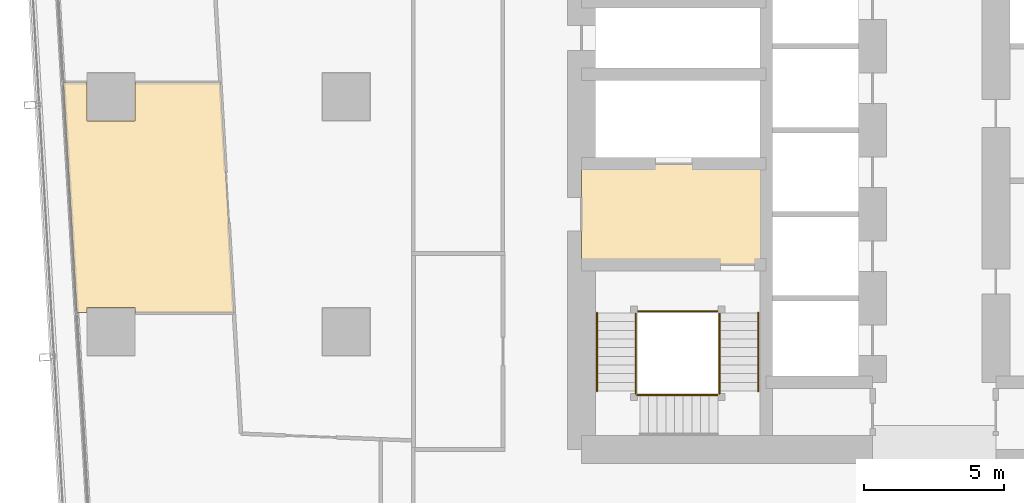
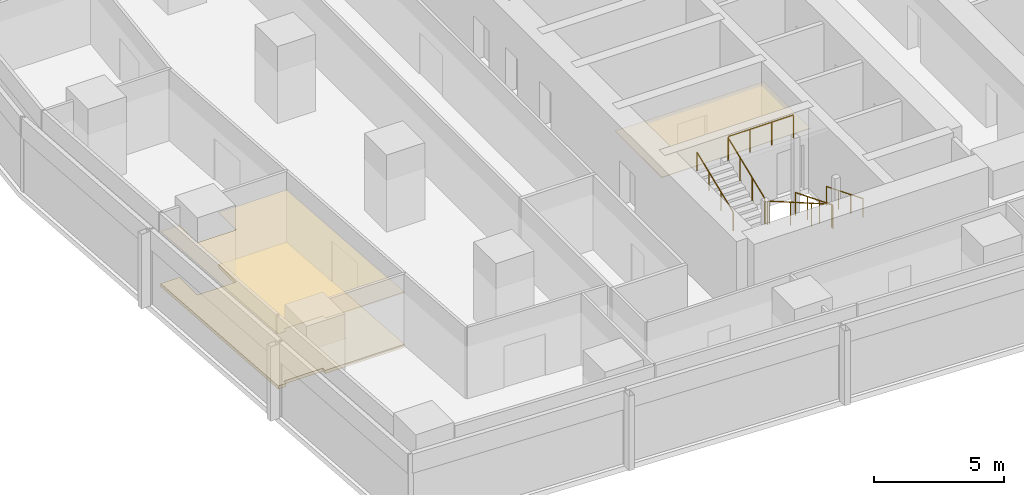
# One storey, part 29 of 34: 9 railings, 3 coverings.
"""IFC4 building model written with IfcOpenShell, lengths in metres."""

from ifc_helpers import new_model, si_unit, direction, frame, origin, origin_2d, place, context, subcontext, project, spatial, polyline, circle, outline, extrude, material, layer, layer_set, type_object, element, save


model = new_model("IFC4")

# Units and contexts
model_context = context("Model", 3, precision=1e-05, world=origin(), true_north=direction((0.0, 1.0)))
body_context = subcontext(model_context, "Body", "Model", "MODEL_VIEW")
ifc_project = project(units=[si_unit("LENGTHUNIT", "METRE"), si_unit("AREAUNIT", "SQUARE_METRE"), si_unit("VOLUMEUNIT", "CUBIC_METRE"), si_unit("PLANEANGLEUNIT", "RADIAN"), si_unit("MASSUNIT", "GRAM", prefix="KILO")], contexts=[model_context])

# Site, building, storey
site_placement = place(None, origin())
site = spatial("IfcSite", under=ifc_project, at=site_placement, CompositionType="ELEMENT")
building_placement = place(site_placement, origin())
building = spatial("IfcBuilding", under=site, at=building_placement, Name="Rekha Terrace Tower", CompositionType="ELEMENT")
storey_placement = place(building_placement, frame((0.0, 0.0, 176.449951171875)))
storey = spatial("IfcBuildingStorey", under=building, at=storey_placement, Name="L44", CompositionType="ELEMENT", Elevation=176.449951171875)

# Coverings
ifc_material_1 = material(Name="Mineral fibre tile in exposed grid", Category="finish")
ifc_layer_1 = layer(ifc_material_1, 0.02001953125)
ifc_layer_set_1 = layer_set([ifc_layer_1], Name="Mineral fibre tile in exposed grid")
covering_type_1 = type_object("IfcCoveringType", Name="CL1 600x1200 office grid ceiling", PredefinedType="CEILING", material=ifc_layer_set_1)
covering_1_placement = place(storey_placement, frame((0.0, 0.0, 2.580078125)))
element("IfcCovering", 1, at=covering_1_placement, inside=storey, type_object=covering_type_1, Name="Ceiling L44-15", PredefinedType="CEILING", context=body_context, shape_type="SweptSolid", body=[
    extrude(outline(polyline([(9.264892578125, 25.888916015625), (12.7900390625, 25.888916015625), (12.305908203125, 34.10107421875), (9.264892578125, 34.10107421875), (9.264892578125, 32.735107421875), (7.534912109375, 32.735107421875), (7.534912109375, 34.10107421875), (6.697021484375, 34.10107421875), (7.179931640625, 25.888916015625), (7.534912109375, 25.888916015625), (7.534912109375, 26.06494140625), (9.264892578125, 26.06494140625), (9.264892578125, 25.888916015625)])), origin(), (0.0, 0.0, 1.0), 0.02001953125),
])
ifc_material_2 = material(Name="Powder-coated aluminium pan", Category="aluminium")
ifc_layer_2 = layer(ifc_material_2, 0.030029296875)
ifc_layer_set_2 = layer_set([ifc_layer_2], Name="Powder-coated aluminium pan")
covering_type_2 = type_object("IfcCoveringType", Name="CL3 300x1200 metal pan ceiling", PredefinedType="CEILING", material=ifc_layer_set_2)
covering_2_placement = place(storey_placement, frame((0.0, 0.0, 2.570068359375)))
element("IfcCovering", 2, at=covering_2_placement, inside=storey, type_object=covering_type_2, Name="Ceiling L44-FLB1", PredefinedType="CEILING", context=body_context, shape_type="SweptSolid", body=[
    extrude(outline(polyline([(31.800048828125, 31.199951171875), (25.199951171875, 31.199951171875), (25.199951171875, 27.60009765625), (31.800048828125, 27.60009765625), (31.800048828125, 31.199951171875)])), origin(), (0.0, 0.0, 1.0), 0.030029296875),
])

# Railings
ifc_material_3 = material(Name="Stainless steel balustrade", Category="steel")
railing_type_1 = type_object("IfcRailingType", Name="GR1 1100 stair guard", PredefinedType="GUARDRAIL", material=ifc_material_3)
railing_1_placement = place(storey_placement, frame((30.135009765625, 25.875, 0.125)))
element("IfcRailing", 3, at=railing_1_placement, inside=storey, type_object=railing_type_1, Name="Guard ST1 L44 flight 1", PredefinedType="GUARDRAIL", context=body_context, shape_type="SweptSolid", body=[
    extrude(circle(Radius=0.02392578125, at=origin_2d()), frame((0.0, 0.0, 1.076171875), z_axis=(0.0, -0.927443287984, 0.373963831907), x_axis=(1.0, 0.0, 0.0)), (0.0, 0.0, 1.0), 3.00830078125),
    extrude(circle(Radius=0.02099609375, at=origin_2d()), origin(), (0.0, 0.0, 1.0), 1.052001953125),
    extrude(circle(Radius=0.02099609375, at=origin_2d()), frame((0.0, -0.929931640625, 0.375)), (0.0, 0.0, 1.0), 1.052001953125),
    extrude(circle(Radius=0.02099609375, at=origin_2d()), frame((0.0, -1.860107421875, 0.75)), (0.0, 0.0, 1.0), 1.052001953125),
    extrude(circle(Radius=0.02099609375, at=origin_2d()), frame((0.0, -2.7900390625, 1.125)), (0.0, 0.0, 1.0), 1.052001953125),
])
railing_2_placement = place(storey_placement, frame((30.074951171875, 22.93994140625, 1.375)))
element("IfcRailing", 4, at=railing_2_placement, inside=storey, type_object=railing_type_1, Name="Guard ST1 L44 flight 2", PredefinedType="GUARDRAIL", context=body_context, shape_type="SweptSolid", body=[
    extrude(circle(Radius=0.02392578125, at=origin_2d()), frame((0.0, 0.0, 1.076171875), z_axis=(-0.927443287984, 0.0, 0.373963831907), x_axis=(0.0, -1.0, 0.0)), (0.0, 0.0, 1.0), 3.00830078125),
    extrude(circle(Radius=0.02099609375, at=origin_2d()), origin(), (0.0, 0.0, 1.0), 1.052001953125),
    extrude(circle(Radius=0.02099609375, at=origin_2d()), frame((-0.929931640625, 0.0, 0.375)), (0.0, 0.0, 1.0), 1.052001953125),
    extrude(circle(Radius=0.02099609375, at=origin_2d()), frame((-1.860107421875, 0.0, 0.75)), (0.0, 0.0, 1.0), 1.052001953125),
    extrude(circle(Radius=0.02099609375, at=origin_2d()), frame((-2.7900390625, 0.0, 1.125)), (0.0, 0.0, 1.0), 1.052001953125),
])
railing_3_placement = place(storey_placement, frame((27.139892578125, 23.0849609375, 2.625)))
element("IfcRailing", 5, at=railing_3_placement, inside=storey, type_object=railing_type_1, Name="Guard ST1 L44 flight 3", PredefinedType="GUARDRAIL", context=body_context, shape_type="SweptSolid", body=[
    extrude(circle(Radius=0.02392578125, at=origin_2d()), frame((0.0, 0.0, 1.076171875), z_axis=(0.0, 0.927443287984, 0.373963831907), x_axis=(-1.0, 0.0, 0.0)), (0.0, 0.0, 1.0), 3.00830078125),
    extrude(circle(Radius=0.02099609375, at=origin_2d()), origin(), (0.0, 0.0, 1.0), 1.052001953125),
    extrude(circle(Radius=0.02099609375, at=origin_2d()), frame((0.0, 0.929931640625, 0.375)), (0.0, 0.0, 1.0), 1.052001953125),
    extrude(circle(Radius=0.02099609375, at=origin_2d()), frame((0.0, 1.860107421875, 0.75)), (0.0, 0.0, 1.0), 1.052001953125),
    extrude(circle(Radius=0.02099609375, at=origin_2d()), frame((0.0, 2.7900390625, 1.125)), (0.0, 0.0, 1.0), 1.052001953125),
])
railing_4_placement = place(storey_placement, frame((30.135009765625, 23.0849609375, 1.25)))
element("IfcRailing", 6, at=railing_4_placement, inside=storey, type_object=railing_type_1, Name="Guard ST1 L44 landing 1", PredefinedType="GUARDRAIL", context=body_context, shape_type="SweptSolid", body=[
    extrude(circle(Radius=0.02392578125, at=origin_2d()), frame((0.0, 0.0, 1.076171875), z_axis=(0.0, -1.0, 0.0), x_axis=(1.0, 0.0, 0.0)), (0.0, 0.0, 1.0), 0.0849609375),
    extrude(circle(Radius=0.02099609375, at=origin_2d()), origin(), (0.0, 0.0, 1.0), 1.052001953125),
    extrude(circle(Radius=0.02099609375, at=origin_2d()), frame((0.0, -0.0849609375, 0.0)), (0.0, 0.0, 1.0), 1.052001953125),
])
railing_5_placement = place(storey_placement, frame((27.284912109375, 22.93994140625, 2.5)))
element("IfcRailing", 7, at=railing_5_placement, inside=storey, type_object=railing_type_1, Name="Guard ST1 L44 landing 2", PredefinedType="GUARDRAIL", context=body_context, shape_type="SweptSolid", body=[
    extrude(circle(Radius=0.02392578125, at=origin_2d()), frame((0.0, 0.0, 1.076171875), z_axis=(-1.0, 0.0, 0.0), x_axis=(0.0, -1.0, 0.0)), (0.0, 0.0, 1.0), 0.0849609375),
    extrude(circle(Radius=0.02099609375, at=origin_2d()), origin(), (0.0, 0.0, 1.0), 1.052001953125),
    extrude(circle(Radius=0.02099609375, at=origin_2d()), frame((-0.0849609375, 0.0, 0.0)), (0.0, 0.0, 1.0), 1.052001953125),
])
railing_6_placement = place(storey_placement, frame((27.139892578125, 23.0849609375, 2.5)))
element("IfcRailing", 8, at=railing_6_placement, inside=storey, type_object=railing_type_1, Name="Guard ST1 L44 landing 3", PredefinedType="GUARDRAIL", context=body_context, shape_type="SweptSolid", body=[
    extrude(circle(Radius=0.02392578125, at=origin_2d()), frame((0.0, 0.0, 1.076171875), z_axis=(0.0, -1.0, 0.0), x_axis=(1.0, 0.0, 0.0)), (0.0, 0.0, 1.0), 0.0849609375),
    extrude(circle(Radius=0.02099609375, at=origin_2d()), origin(), (0.0, 0.0, 1.0), 1.052001953125),
    extrude(circle(Radius=0.02099609375, at=origin_2d()), frame((0.0, -0.0849609375, 0.0)), (0.0, 0.0, 1.0), 1.052001953125),
])
railing_7_placement = place(storey_placement, frame((30.074951171875, 25.93505859375, 3.75)))
element("IfcRailing", 9, at=railing_7_placement, inside=storey, type_object=railing_type_1, Name="Guard ST1 L44 landing 4", PredefinedType="GUARDRAIL", context=body_context, shape_type="SweptSolid", body=[
    extrude(circle(Radius=0.02392578125, at=origin_2d()), frame((0.0, 0.0, 1.076171875), z_axis=(-1.0, 0.0, 0.0), x_axis=(0.0, -1.0, 0.0)), (0.0, 0.0, 1.0), 2.875),
    extrude(circle(Radius=0.02099609375, at=origin_2d()), origin(), (0.0, 0.0, 1.0), 1.052001953125),
    extrude(circle(Radius=0.02099609375, at=origin_2d()), frame((-0.958251953125, 0.0, 0.0)), (0.0, 0.0, 1.0), 1.052001953125),
    extrude(circle(Radius=0.02099609375, at=origin_2d()), frame((-1.916748046875, 0.0, 0.0)), (0.0, 0.0, 1.0), 1.052001953125),
    extrude(circle(Radius=0.02099609375, at=origin_2d()), frame((-2.875, 0.0, 0.0)), (0.0, 0.0, 1.0), 1.052001953125),
])
ifc_material_4 = material(Name="Stainless steel tube", Category="steel")
railing_type_2 = type_object("IfcRailingType", Name="HR1 900 stair handrail", PredefinedType="HANDRAIL", material=ifc_material_4)
railing_8_placement = place(storey_placement, frame((31.514892578125, 25.875, 0.125)))
element("IfcRailing", 10, at=railing_8_placement, inside=storey, type_object=railing_type_2, Name="Handrail ST1 L44 flight 1", PredefinedType="HANDRAIL", context=body_context, shape_type="SweptSolid", body=[
    extrude(circle(Radius=0.02392578125, at=origin_2d()), frame((0.0, 0.0, 0.8759765625), z_axis=(0.0, -0.927443287984, 0.373963831907), x_axis=(1.0, 0.0, 0.0)), (0.0, 0.0, 1.0), 3.00830078125),
    extrude(circle(Radius=0.02099609375, at=origin_2d()), origin(), (0.0, 0.0, 1.0), 0.851806640625),
    extrude(circle(Radius=0.02099609375, at=origin_2d()), frame((0.0, -0.929931640625, 0.375)), (0.0, 0.0, 1.0), 0.851806640625),
    extrude(circle(Radius=0.02099609375, at=origin_2d()), frame((0.0, -1.860107421875, 0.75)), (0.0, 0.0, 1.0), 0.851806640625),
    extrude(circle(Radius=0.02099609375, at=origin_2d()), frame((0.0, -2.7900390625, 1.125)), (0.0, 0.0, 1.0), 0.851806640625),
])
railing_9_placement = place(storey_placement, frame((25.760009765625, 23.0849609375, 2.625)))
element("IfcRailing", 11, at=railing_9_placement, inside=storey, type_object=railing_type_2, Name="Handrail ST1 L44 flight 3", PredefinedType="HANDRAIL", context=body_context, shape_type="SweptSolid", body=[
    extrude(circle(Radius=0.02392578125, at=origin_2d()), frame((0.0, 0.0, 0.8759765625), z_axis=(0.0, 0.927443287984, 0.373963831907), x_axis=(-1.0, 0.0, 0.0)), (0.0, 0.0, 1.0), 3.00830078125),
    extrude(circle(Radius=0.02099609375, at=origin_2d()), origin(), (0.0, 0.0, 1.0), 0.851806640625),
    extrude(circle(Radius=0.02099609375, at=origin_2d()), frame((0.0, 0.929931640625, 0.375)), (0.0, 0.0, 1.0), 0.851806640625),
    extrude(circle(Radius=0.02099609375, at=origin_2d()), frame((0.0, 1.860107421875, 0.75)), (0.0, 0.0, 1.0), 0.851806640625),
    extrude(circle(Radius=0.02099609375, at=origin_2d()), frame((0.0, 2.7900390625, 1.125)), (0.0, 0.0, 1.0), 0.851806640625),
])

# Covering
ifc_material_5 = material(Name="Calcium sulphate panels on steel pedestals", Category="steel")
ifc_layer_3 = layer(ifc_material_5, 0.14990234375)
ifc_layer_set_3 = layer_set([ifc_layer_3], Name="Calcium sulphate panels on steel pedestals")
covering_type_3 = type_object("IfcCoveringType", Name="RF1 150 raised access floor", PredefinedType="FLOORING", material=ifc_layer_set_3)
covering_3_placement = place(storey_placement, origin())
element("IfcCovering", 12, at=covering_3_placement, inside=storey, type_object=covering_type_3, Name="Raised floor L44-15", PredefinedType="FLOORING", context=body_context, shape_type="SweptSolid", body=[
    extrude(outline(polyline([(9.264892578125, 25.888916015625), (12.7900390625, 25.888916015625), (12.305908203125, 34.10107421875), (9.264892578125, 34.10107421875), (9.264892578125, 32.735107421875), (7.534912109375, 32.735107421875), (7.534912109375, 34.10107421875), (6.697021484375, 34.10107421875), (7.179931640625, 25.888916015625), (7.534912109375, 25.888916015625), (7.534912109375, 26.06494140625), (9.264892578125, 26.06494140625), (9.264892578125, 25.888916015625)])), origin(), (0.0, 0.0, 1.0), 0.150146484375),
])

save(model, "model.ifc")
